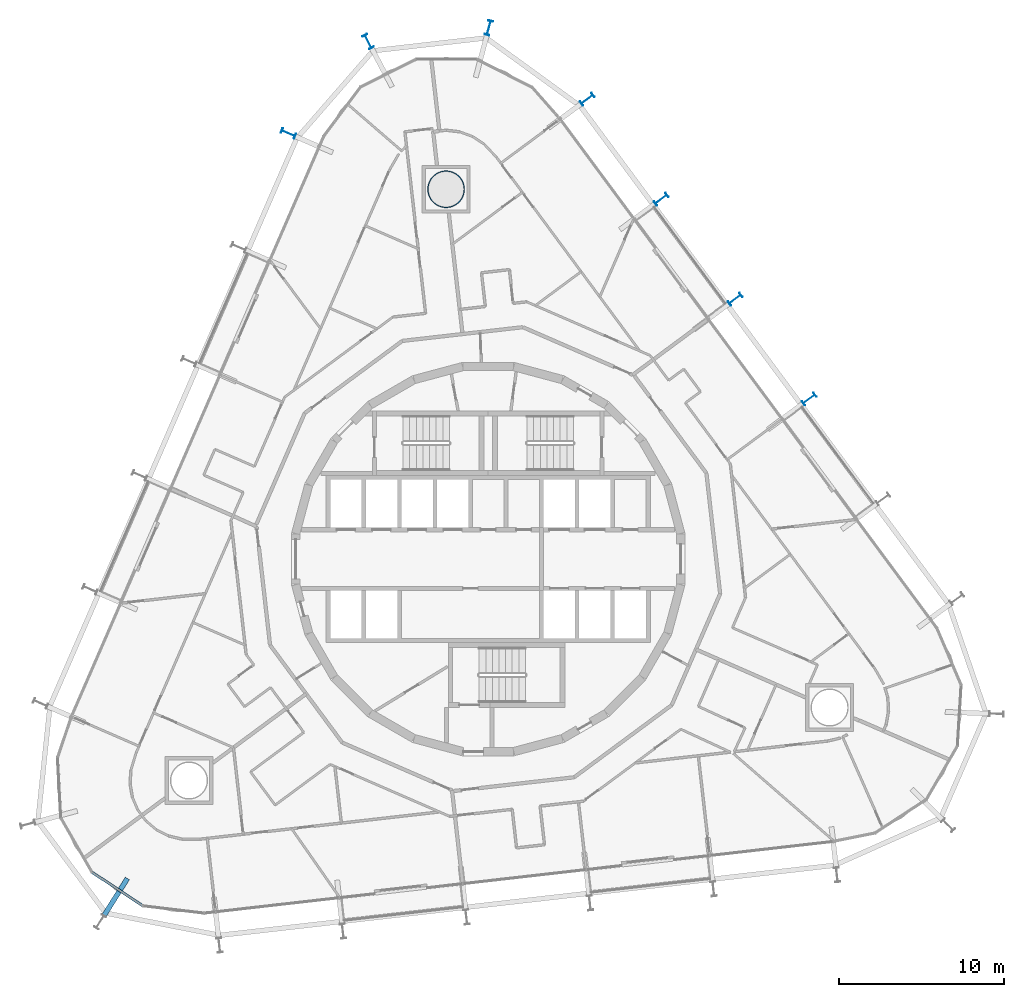
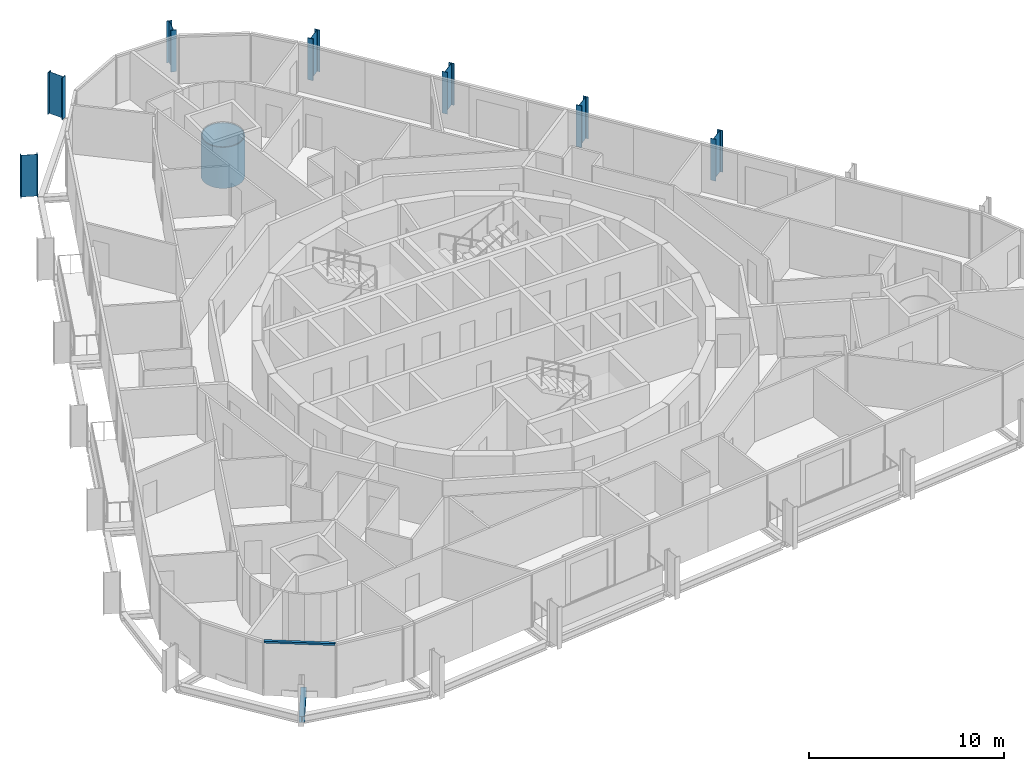
# One storey, part 2 of 23: 8 columns, 1 beam, 1 member, 1 element without a shape of its own.
"""IFC4 building model written with IfcOpenShell, lengths in metres."""

from ifc_helpers import new_model, si_unit, direction, frame, origin, origin_2d, place, context, subcontext, project, spatial, rectangle, hollow_circle, i_section, extrude, material, layer, layer_set, material_profile, profile_set, type_object, element, aggregate, save


model = new_model("IFC4")

# Units and contexts
model_context = context("Model", 3, precision=1e-05, world=origin(), true_north=direction((0.0, 1.0)))
body_context = subcontext(model_context, "Body", "Model", "MODEL_VIEW")
ifc_project = project(units=[si_unit("LENGTHUNIT", "METRE"), si_unit("AREAUNIT", "SQUARE_METRE"), si_unit("VOLUMEUNIT", "CUBIC_METRE"), si_unit("PLANEANGLEUNIT", "RADIAN"), si_unit("MASSUNIT", "GRAM", prefix="KILO")], contexts=[model_context])

# Site, building, storey
site_placement = place(None, origin())
site = spatial("IfcSite", under=ifc_project, at=site_placement, CompositionType="ELEMENT")
building_placement = place(site_placement, origin())
building = spatial("IfcBuilding", under=site, at=building_placement, Name="Spindle Arch Residences", CompositionType="ELEMENT")
storey_placement = place(building_placement, frame((0.0, 0.0, 104.699951171875)))
storey = spatial("IfcBuildingStorey", under=building, at=storey_placement, Name="L25", CompositionType="ELEMENT", Elevation=104.699951171875)

# Columns
ifc_material_1 = material(Name="Steel S460ML, intumescent coating R 240", Category="steel")
ifc_material_profile_1 = material_profile(ifc_material_1, i_section(OverallWidth=0.300048828125, OverallDepth=0.89990234375, WebThickness=0.0185546875, FlangeThickness=0.034912109375, FilletRadius=0.030029296875, at=origin_2d()), Name="HEB 900")
ifc_profile_set_1 = profile_set([ifc_material_profile_1], Name="Steel S460ML, intumescent coating R 240")
column_type_1 = type_object("IfcColumnType", Name="Exoskeleton post HEB 900", PredefinedType="COLUMN", material=ifc_profile_set_1)
for number, where, z_axis, x_axis, name in (
    (1, (19.404541015625, 9.681884765625, -0.3798828125), (0.0, 0.0, 1.0), (0.594822857897, -0.803856807972, 0.0), "Exoskeleton post 8"),
    (2, (14.93212890625, 15.72607421875, -0.3798828125), (0.0, 0.0, 1.0), (0.594822857897, -0.803856807972, 0.0), "Exoskeleton post 9"),
    (3, (10.459716796875, 21.77001953125, -0.3798828125), (0.0, 0.0, 1.0), (0.594822857897, -0.803856807972, 0.0), "Exoskeleton post 10"),
    (4, (5.987548828125, 27.814208984375, -0.3798828125), (0.0, 0.0, 1.0), (0.594822857897, -0.803856807972, 0.0), "Exoskeleton post 11"),
    (5, (0.035888671875, 32.134033203125, -0.3798828125), (0.0, 0.0, 1.0), (0.966704856799, -0.255893962102, 0.0), "Exoskeleton post 12"),
    (6, (-7.263427734375, 31.302490234375, -0.3798828125), (0.0, 0.0, 1.0), (0.884364605378, 0.466796791715, 0.0), "Exoskeleton post 13"),
    (7, (-12.0908203125, 25.75439453125, -0.3798828125), (0.0, 0.0, 1.0), (0.398749038162, 0.917060087761, 0.0), "Exoskeleton post 14"),
):
    element("IfcColumn", number, at=place(storey_placement, frame(where, z_axis=z_axis, x_axis=x_axis)), inside=storey, type_object=column_type_1, Name=name, PredefinedType="COLUMN", context=body_context, shape_type="SweptSolid", body=[
        extrude(i_section(OverallWidth=0.300048828125, OverallDepth=0.89990234375, WebThickness=0.0185546875, FlangeThickness=0.034912109375, FilletRadius=0.030029296875, at=origin_2d()), origin(), (0.0, 0.0, 1.0), 2.615966796875),
    ])
ifc_material_2 = material(Name="Concrete C50/60 filled steel tube S460ML, intumescent coating R 240", Category="concrete")
ifc_material_profile_2 = material_profile(ifc_material_2, hollow_circle(Radius=1.125, WallThickness=0.054931640625, at=origin_2d()), Name="CFT D2250x55")
ifc_profile_set_2 = profile_set([ifc_material_profile_2], Name="Concrete C50/60 filled steel tube S460ML, intumescent coating R 240")
column_type_2 = type_object("IfcColumnType", Name="Mega-column CFT D2250x55", PredefinedType="COLUMN", material=ifc_profile_set_2)
column_placement = place(storey_placement, frame((-2.548828125, 22.370361328125, -0.3798828125), z_axis=(0.0, 0.0, 1.0), x_axis=(1.0, 0.0, 0.0)))
element("IfcColumn", 8, at=column_placement, inside=storey, type_object=column_type_2, Name="Mega-column 2", PredefinedType="COLUMN", context=body_context, shape_type="SweptSolid", body=[
    extrude(hollow_circle(Radius=1.125, WallThickness=0.054931640625, at=origin_2d()), origin(), (0.0, 0.0, 1.0), 2.575927734375),
])

# Curtain wall, member
ifc_material_3 = material(Name="Aluminium bronze unitised frame with tinted glass", Category="aluminium")
ifc_layer = layer(ifc_material_3, 0.159912109375)
ifc_layer_set = layer_set([ifc_layer], Name="CW-D corner wall on the fillet arcs")
curtain_wall_type = type_object("IfcCurtainWallType", Name="CW-D corner wall on the fillet arcs", PredefinedType="NOTDEFINED", material=ifc_layer_set)
curtain_wall_placement = place(storey_placement, origin())
curtain_wall = element("IfcCurtainWall", 9, at=curtain_wall_placement, inside=storey, type_object=curtain_wall_type, Name="CW-D L25 run 5", PredefinedType="NOTDEFINED")
ifc_material_4 = material(Name="Aluminium bronze anodised transom", Category="aluminium")
ifc_material_profile_3 = material_profile(ifc_material_4, rectangle(XDim=0.159912109375, YDim=0.1201171875, at=origin_2d()), Name="TR 120x160")
ifc_profile_set_3 = profile_set([ifc_material_profile_3], Name="Aluminium bronze anodised transom")
member_type = type_object("IfcMemberType", Name="Bronze transom 120x160", PredefinedType="USERDEFINED", material=ifc_profile_set_3)
member_placement = place(storey_placement, frame((-23.967041015625, -18.936767578125, 2.989990234375), z_axis=(0.833899758412, -0.551915929214, 0.0), x_axis=(0.551915929214, 0.833899758412, 0.0)))
member = element("IfcMember", 10, at=member_placement, type_object=member_type, Name="CW-D transom 03", ObjectType="TRANSOM", PredefinedType="USERDEFINED", context=body_context, shape_type="SweptSolid", body=[
    extrude(rectangle(XDim=0.159912109375, YDim=0.1201171875, at=origin_2d()), origin(), (0.0, 0.0, 1.0), 3.666748046875),
])
aggregate(curtain_wall, [member])

# Beam
ifc_material_5 = material(Name="Steel S460ML, intumescent coating R 120", Category="steel")
ifc_material_profile_4 = material_profile(ifc_material_5, i_section(OverallWidth=0.300048828125, OverallDepth=0.389892578125, WebThickness=0.010986328125, FlangeThickness=0.01904296875, FilletRadius=0.027099609375, at=origin_2d()), Name="HEA 400")
ifc_profile_set_4 = profile_set([ifc_material_profile_4], Name="Steel S460ML, intumescent coating R 120")
beam_type = type_object("IfcBeamType", Name="Floor outrigger HEA 400", PredefinedType="BEAM", material=ifc_profile_set_4)
beam_placement = place(storey_placement, frame((-23.2373046875, -21.560546875, -0.574951171875), z_axis=(0.532414919102, 0.846483522532, 0.0), x_axis=(-0.846483522532, 0.532414919102, 0.0)))
element("IfcBeam", 11, at=beam_placement, inside=storey, type_object=beam_type, Name="Floor outrigger 21", PredefinedType="BEAM", context=body_context, shape_type="SweptSolid", body=[
    extrude(i_section(OverallWidth=0.300048828125, OverallDepth=0.389892578125, WebThickness=0.010986328125, FlangeThickness=0.01904296875, FilletRadius=0.027099609375, at=origin_2d()), origin(), (0.0, 0.0, 1.0), 2.64990234375),
])

save(model, "model.ifc")
